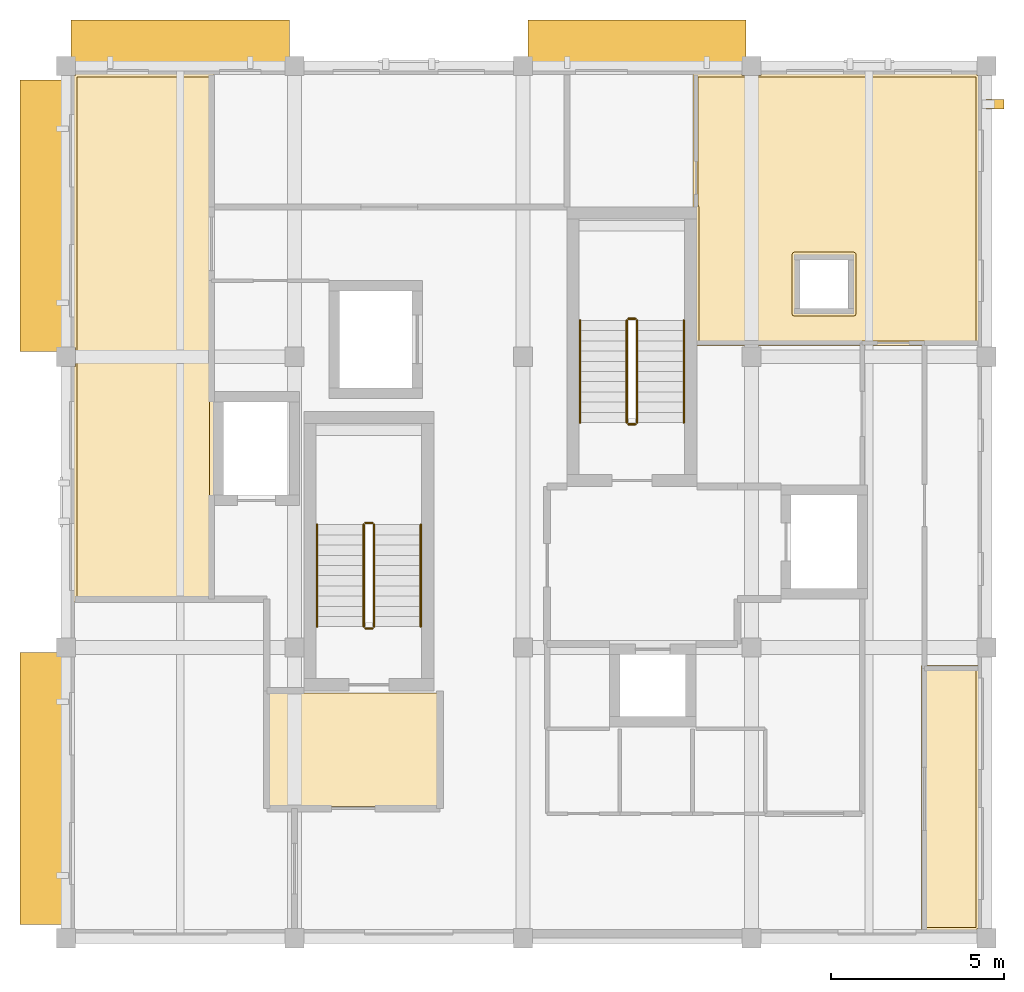
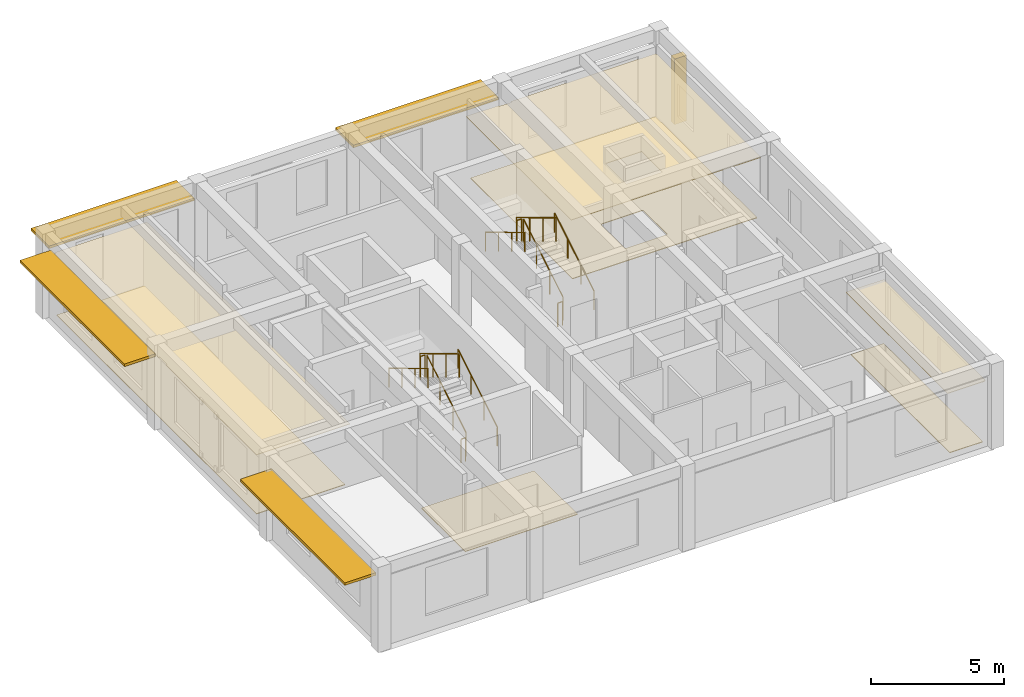
# One storey, part 6 of 6: 12 railings, 7 coverings, 5 shading devices.
"""IFC4 building model written with IfcOpenShell, lengths in metres."""

from ifc_helpers import new_model, si_unit, direction, frame, origin, origin_2d, place, context, subcontext, project, spatial, polyline, rectangle, circle, outline, extrude, material, layer, layer_set, type_object, element, save


model = new_model("IFC4")

# Units and contexts
model_context = context("Model", 3, precision=1e-05, world=origin(), true_north=direction((0.0, 1.0)))
body_context = subcontext(model_context, "Body", "Model", "MODEL_VIEW")
ifc_project = project(units=[si_unit("LENGTHUNIT", "METRE"), si_unit("AREAUNIT", "SQUARE_METRE"), si_unit("VOLUMEUNIT", "CUBIC_METRE"), si_unit("PLANEANGLEUNIT", "RADIAN"), si_unit("MASSUNIT", "GRAM", prefix="KILO")], contexts=[model_context])

# Site, building, storey
site_placement = place(None, origin())
site = spatial("IfcSite", under=ifc_project, at=site_placement, CompositionType="ELEMENT")
building_placement = place(site_placement, origin())
building = spatial("IfcBuilding", under=site, at=building_placement, Name="Kolvaren Faculty of Natural Sciences", CompositionType="ELEMENT")
storey_placement = place(building_placement, frame((0.0, 0.0, 36.60009765625)))
storey = spatial("IfcBuildingStorey", under=building, at=storey_placement, Name="L08", CompositionType="ELEMENT", Elevation=36.60009765625)

# Coverings
ifc_material_1 = material(Name="Perforated mineral-fibre acoustic suspended ceiling tile")
ifc_layer_1 = layer(ifc_material_1, 0.02490234375)
ifc_layer_set_1 = layer_set([ifc_layer_1], Name="Perforated mineral-fibre acoustic suspended ceiling tile")
covering_type_1 = type_object("IfcCoveringType", Name="AcousticSuspendedCeiling_25", PredefinedType="CEILING", material=ifc_layer_set_1)
covering_1_placement = place(storey_placement, frame((0.0, 0.0, 2.824951171875)))
element("IfcCovering", 1, at=covering_1_placement, inside=storey, type_object=covering_type_1, Name="L08 L08 Interdisciplinary Seminar Classroom acoustic ceiling", PredefinedType="CEILING", context=body_context, shape_type="SweptSolid", body=[
    extrude(outline(polyline([(145.6201171875, 68.719970703125), (145.6201171875, 75.52490234375), (145.675048828125, 75.52490234375), (145.675048828125, 76.074951171875), (145.6201171875, 76.074951171875), (145.6201171875, 83.925048828125), (145.675048828125, 83.925048828125), (145.675048828125, 83.97998046875), (149.679931640625, 83.97998046875), (149.679931640625, 68.719970703125), (145.6201171875, 68.719970703125)])), origin(), (0.0, 0.0, 1.0), 0.02490234375),
])
covering_2_placement = place(storey_placement, frame((0.0, 0.0, 2.824951171875)))
element("IfcCovering", 2, at=covering_2_placement, inside=storey, type_object=covering_type_1, Name="L08 L08 Departmental Reference Library acoustic ceiling", PredefinedType="CEILING", context=body_context, shape_type="SweptSolid", body=[
    extrude(outline(polyline([(171.780029296875, 66.8798828125), (171.780029296875, 59.27490234375), (171.72509765625, 59.27490234375), (171.72509765625, 59.219970703125), (170.1201171875, 59.219970703125), (170.1201171875, 66.8798828125), (171.780029296875, 66.8798828125)])), origin(), (0.0, 0.0, 1.0), 0.02490234375),
])
covering_3_placement = place(storey_placement, frame((0.0, 0.0, 2.824951171875)))
element("IfcCovering", 3, at=covering_3_placement, inside=storey, type_object=covering_type_1, Name="L08 L08 Senior Researcher Office acoustic ceiling", PredefinedType="CEILING", context=body_context, shape_type="SweptSolid", body=[
    extrude(outline(polyline([(163.544921875, 80.044921875), (163.52001953125, 80.044921875), (163.52001953125, 83.97998046875), (164.925048828125, 83.97998046875), (164.925048828125, 83.925048828125), (165.47509765625, 83.925048828125), (165.47509765625, 83.97998046875), (171.72509765625, 83.97998046875), (171.72509765625, 83.925048828125), (171.780029296875, 83.925048828125), (171.780029296875, 76.1201171875), (163.544921875, 76.1201171875), (163.544921875, 80.044921875)]), holes=[polyline([(168.080078125, 77.1201171875), (168.080078125, 78.679931640625), (166.52001953125, 78.679931640625), (166.52001953125, 77.1201171875), (168.080078125, 77.1201171875)])]), origin(), (0.0, 0.0, 1.0), 0.02490234375),
])

# Shading devices
ifc_material_2 = material(Name="Precast concrete C35/45", Category="concrete")
ifc_layer_2 = layer(ifc_material_2, 0.1201171875)
ifc_layer_set_2 = layer_set([ifc_layer_2], Name="Precast concrete C35/45")
shading_device_type_1 = type_object("IfcShadingDeviceType", Name="ChhajjaSolarHood_1350", PredefinedType="AWNING", material=ifc_layer_set_2)
for number, where, z_axis, x_axis, name in (
    (4, (148.699951171875, 84.85498046875, 2.94482421875), (0.0, 0.0, 1.0), (1.0, 0.0, 0.0), "L08 precast sandstone chhajja solar hood 198"),
    (5, (161.89990234375, 84.85498046875, 2.94482421875), (0.0, 0.0, 1.0), (1.0, 0.0, 0.0), "L08 precast sandstone chhajja solar hood 199"),
):
    element("IfcShadingDevice", number, at=place(storey_placement, frame(where, z_axis=z_axis, x_axis=x_axis)), inside=storey, type_object=shading_device_type_1, Name=name, PredefinedType="AWNING", context=body_context, shape_type="SweptSolid", body=[
        extrude(rectangle(XDim=6.300048828125, YDim=1.35009765625, at=origin_2d()), origin(), (0.0, 0.0, 1.0), 0.1201171875),
    ])
for number, where, z_axis, x_axis, name in (
    (6, (144.7451171875, 63.324951171875, 3.044921875), (0.0, 0.0, 1.0), (0.0, 1.0, 0.0), "L08 precast sandstone chhajja solar hood 200"),
    (7, (144.7451171875, 79.875, 3.044921875), (0.0, 0.0, 1.0), (0.0, 1.0, 0.0), "L08 precast sandstone chhajja solar hood 201"),
):
    element("IfcShadingDevice", number, at=place(storey_placement, frame(where, z_axis=z_axis, x_axis=x_axis)), inside=storey, type_object=shading_device_type_1, Name=name, PredefinedType="AWNING", context=body_context, shape_type="SweptSolid", body=[
        extrude(rectangle(XDim=7.85009765625, YDim=1.35009765625, at=origin_2d()), origin(), (0.0, 0.0, 1.0), 0.1201171875),
    ])
ifc_layer_3 = layer(ifc_material_2, 0.280029296875)
ifc_layer_set_3 = layer_set([ifc_layer_3], Name="Precast concrete C35/45")
shading_device_type_2 = type_object("IfcShadingDeviceType", Name="FacadeReliefFin_280x520", PredefinedType="USERDEFINED", material=ifc_layer_set_3)
shading_device_placement = place(storey_placement, frame((172.239990234375, 83.10009765625, 0.119873046875), z_axis=(0.0, 0.0, 1.0), x_axis=(0.0, -1.0, 0.0)))
element("IfcShadingDevice", 8, at=shading_device_placement, inside=storey, type_object=shading_device_type_2, Name="L08 projecting sandstone facade relief fin 22", ObjectType="FIN", PredefinedType="USERDEFINED", context=body_context, shape_type="SweptSolid", body=[
    extrude(rectangle(XDim=0.280029296875, YDim=0.52001953125, at=origin_2d()), origin(), (0.0, 0.0, 1.0), 3.0048828125),
])

# Railings
ifc_material_3 = material(Name="Structural steel EN 10210-1 S355J2H", Category="steel")
ifc_layer_4 = layer(ifc_material_3, 0.048095703125)
ifc_layer_set_4 = layer_set([ifc_layer_4], Name="Structural steel EN 10210-1 S355J2H")
railing_type_1 = type_object("IfcRailingType", Name="StairPitchHandrail_920", PredefinedType="HANDRAIL", material=ifc_layer_set_4)
railing_1_placement = place(storey_placement, frame((163.25, 73.89990234375, 0.17724609375)))
element("IfcRailing", 9, at=railing_1_placement, inside=storey, type_object=railing_type_1, Name="L08 ST-1 stair handrail 1", PredefinedType="HANDRAIL", context=body_context, shape_type="SweptSolid", body=[
    extrude(circle(Radius=0.02392578125, at=origin_2d()), frame((0.0, 0.0, 0.8759765625), z_axis=(0.0, 0.85716102882, 0.515048512931), x_axis=(-1.0, 0.0, 0.0)), (0.0, 0.0, 1.0), 3.44189453125),
    extrude(circle(Radius=0.02099609375, at=origin_2d()), origin(), (0.0, 0.0, 1.0), 0.851806640625),
    extrude(circle(Radius=0.02099609375, at=origin_2d()), frame((0.0, 0.9833984375, 0.5908203125)), (0.0, 0.0, 1.0), 0.851806640625),
    extrude(circle(Radius=0.02099609375, at=origin_2d()), frame((0.0, 1.966796875, 1.181884765625)), (0.0, 0.0, 1.0), 0.851806640625),
    extrude(circle(Radius=0.02099609375, at=origin_2d()), frame((0.0, 2.9501953125, 1.772705078125)), (0.0, 0.0, 1.0), 0.851806640625),
])
railing_2_placement = place(storey_placement, frame((160.25, 76.85009765625, 2.127197265625)))
element("IfcRailing", 10, at=railing_2_placement, inside=storey, type_object=railing_type_1, Name="L08 ST-1 stair handrail 2", PredefinedType="HANDRAIL", context=body_context, shape_type="SweptSolid", body=[
    extrude(circle(Radius=0.02392578125, at=origin_2d()), frame((0.0, 0.0, 0.8759765625), z_axis=(0.0, -0.85716102882, 0.515048512931), x_axis=(1.0, 0.0, 0.0)), (0.0, 0.0, 1.0), 3.44189453125),
    extrude(circle(Radius=0.02099609375, at=origin_2d()), origin(), (0.0, 0.0, 1.0), 0.851806640625),
    extrude(circle(Radius=0.02099609375, at=origin_2d()), frame((0.0, -0.9833984375, 0.5908203125)), (0.0, 0.0, 1.0), 0.851806640625),
    extrude(circle(Radius=0.02099609375, at=origin_2d()), frame((0.0, -1.966796875, 1.181884765625)), (0.0, 0.0, 1.0), 0.851806640625),
    extrude(circle(Radius=0.02099609375, at=origin_2d()), frame((0.0, -2.9501953125, 1.772705078125)), (0.0, 0.0, 1.0), 0.851806640625),
])
railing_3_placement = place(storey_placement, frame((155.64990234375, 68.0, 0.17724609375)))
element("IfcRailing", 11, at=railing_3_placement, inside=storey, type_object=railing_type_1, Name="L08 ST-2 stair handrail 1", PredefinedType="HANDRAIL", context=body_context, shape_type="SweptSolid", body=[
    extrude(circle(Radius=0.02392578125, at=origin_2d()), frame((0.0, 0.0, 0.8759765625), z_axis=(0.0, 0.857142210208, 0.515079830201), x_axis=(-1.0, 0.0, 0.0)), (0.0, 0.0, 1.0), 3.441650390625),
    extrude(circle(Radius=0.02099609375, at=origin_2d()), origin(), (0.0, 0.0, 1.0), 0.851806640625),
    extrude(circle(Radius=0.02099609375, at=origin_2d()), frame((0.0, 0.9833984375, 0.5908203125)), (0.0, 0.0, 1.0), 0.851806640625),
    extrude(circle(Radius=0.02099609375, at=origin_2d()), frame((0.0, 1.966552734375, 1.181884765625)), (0.0, 0.0, 1.0), 0.851806640625),
    extrude(circle(Radius=0.02099609375, at=origin_2d()), frame((0.0, 2.949951171875, 1.772705078125)), (0.0, 0.0, 1.0), 0.851806640625),
])
railing_4_placement = place(storey_placement, frame((152.64990234375, 70.949951171875, 2.127197265625)))
element("IfcRailing", 12, at=railing_4_placement, inside=storey, type_object=railing_type_1, Name="L08 ST-2 stair handrail 2", PredefinedType="HANDRAIL", context=body_context, shape_type="SweptSolid", body=[
    extrude(circle(Radius=0.02392578125, at=origin_2d()), frame((0.0, 0.0, 0.8759765625), z_axis=(0.0, -0.857142210208, 0.515079830201), x_axis=(1.0, 0.0, 0.0)), (0.0, 0.0, 1.0), 3.441650390625),
    extrude(circle(Radius=0.02099609375, at=origin_2d()), origin(), (0.0, 0.0, 1.0), 0.851806640625),
    extrude(circle(Radius=0.02099609375, at=origin_2d()), frame((0.0, -0.9833984375, 0.5908203125)), (0.0, 0.0, 1.0), 0.851806640625),
    extrude(circle(Radius=0.02099609375, at=origin_2d()), frame((0.0, -1.966552734375, 1.181884765625)), (0.0, 0.0, 1.0), 0.851806640625),
    extrude(circle(Radius=0.02099609375, at=origin_2d()), frame((0.0, -2.949951171875, 1.772705078125)), (0.0, 0.0, 1.0), 0.851806640625),
])
ifc_layer_5 = layer(ifc_material_3, 0.048095703125)
ifc_layer_set_5 = layer_set([ifc_layer_5], Name="Structural steel EN 10210-1 S355J2H")
railing_type_2 = type_object("IfcRailingType", Name="StairWellGuard_1100", PredefinedType="BALUSTRADE", material=ifc_layer_set_5)
railing_5_placement = place(storey_placement, frame((161.89990234375, 73.89990234375, 0.17724609375)))
element("IfcRailing", 13, at=railing_5_placement, inside=storey, type_object=railing_type_2, Name="L08 ST-1 stair guard 1", PredefinedType="BALUSTRADE", context=body_context, shape_type="SweptSolid", body=[
    extrude(circle(Radius=0.02392578125, at=origin_2d()), frame((0.0, 0.0, 1.076171875), z_axis=(0.0, 0.85716102882, 0.515048512931), x_axis=(-1.0, 0.0, 0.0)), (0.0, 0.0, 1.0), 3.44189453125),
    extrude(circle(Radius=0.02099609375, at=origin_2d()), origin(), (0.0, 0.0, 1.0), 1.052001953125),
    extrude(circle(Radius=0.02099609375, at=origin_2d()), frame((0.0, 0.9833984375, 0.5908203125)), (0.0, 0.0, 1.0), 1.052001953125),
    extrude(circle(Radius=0.02099609375, at=origin_2d()), frame((0.0, 1.966796875, 1.181884765625)), (0.0, 0.0, 1.0), 1.052001953125),
    extrude(circle(Radius=0.02099609375, at=origin_2d()), frame((0.0, 2.9501953125, 1.772705078125)), (0.0, 0.0, 1.0), 1.052001953125),
])
railing_6_placement = place(storey_placement, frame((161.85009765625, 76.89990234375, 1.949951171875)))
element("IfcRailing", 14, at=railing_6_placement, inside=storey, type_object=railing_type_2, Name="L08 ST-1 stair guard 2", PredefinedType="BALUSTRADE", context=body_context, shape_type="SweptSolid", body=[
    extrude(circle(Radius=0.02392578125, at=origin_2d()), frame((0.0, 0.0, 1.076171875), z_axis=(-1.0, 0.0, 0.0), x_axis=(0.0, -1.0, 0.0)), (0.0, 0.0, 1.0), 0.2001953125),
    extrude(circle(Radius=0.02099609375, at=origin_2d()), origin(), (0.0, 0.0, 1.0), 1.052001953125),
    extrude(circle(Radius=0.02099609375, at=origin_2d()), frame((-0.2001953125, 0.0, 0.0)), (0.0, 0.0, 1.0), 1.052001953125),
])
railing_7_placement = place(storey_placement, frame((161.60009765625, 76.85009765625, 2.127197265625)))
element("IfcRailing", 15, at=railing_7_placement, inside=storey, type_object=railing_type_2, Name="L08 ST-1 stair guard 3", PredefinedType="BALUSTRADE", context=body_context, shape_type="SweptSolid", body=[
    extrude(circle(Radius=0.02392578125, at=origin_2d()), frame((0.0, 0.0, 1.076171875), z_axis=(0.0, -0.85716102882, 0.515048512931), x_axis=(1.0, 0.0, 0.0)), (0.0, 0.0, 1.0), 3.44189453125),
    extrude(circle(Radius=0.02099609375, at=origin_2d()), origin(), (0.0, 0.0, 1.0), 1.052001953125),
    extrude(circle(Radius=0.02099609375, at=origin_2d()), frame((0.0, -0.9833984375, 0.5908203125)), (0.0, 0.0, 1.0), 1.052001953125),
    extrude(circle(Radius=0.02099609375, at=origin_2d()), frame((0.0, -1.966796875, 1.181884765625)), (0.0, 0.0, 1.0), 1.052001953125),
    extrude(circle(Radius=0.02099609375, at=origin_2d()), frame((0.0, -2.9501953125, 1.772705078125)), (0.0, 0.0, 1.0), 1.052001953125),
])
railing_8_placement = place(storey_placement, frame((161.85009765625, 73.85009765625, 0.0)))
element("IfcRailing", 16, at=railing_8_placement, inside=storey, type_object=railing_type_2, Name="L08 ST-1 stair guard 4", PredefinedType="BALUSTRADE", context=body_context, shape_type="SweptSolid", body=[
    extrude(circle(Radius=0.02392578125, at=origin_2d()), frame((0.0, 0.0, 1.076171875), z_axis=(-1.0, 0.0, 0.0), x_axis=(0.0, -1.0, 0.0)), (0.0, 0.0, 1.0), 0.2001953125),
    extrude(circle(Radius=0.02099609375, at=origin_2d()), origin(), (0.0, 0.0, 1.0), 1.052001953125),
    extrude(circle(Radius=0.02099609375, at=origin_2d()), frame((-0.2001953125, 0.0, 0.0)), (0.0, 0.0, 1.0), 1.052001953125),
])
railing_9_placement = place(storey_placement, frame((154.300048828125, 68.0, 0.17724609375)))
element("IfcRailing", 17, at=railing_9_placement, inside=storey, type_object=railing_type_2, Name="L08 ST-2 stair guard 1", PredefinedType="BALUSTRADE", context=body_context, shape_type="SweptSolid", body=[
    extrude(circle(Radius=0.02392578125, at=origin_2d()), frame((0.0, 0.0, 1.076171875), z_axis=(0.0, 0.857142210208, 0.515079830201), x_axis=(-1.0, 0.0, 0.0)), (0.0, 0.0, 1.0), 3.441650390625),
    extrude(circle(Radius=0.02099609375, at=origin_2d()), origin(), (0.0, 0.0, 1.0), 1.052001953125),
    extrude(circle(Radius=0.02099609375, at=origin_2d()), frame((0.0, 0.9833984375, 0.5908203125)), (0.0, 0.0, 1.0), 1.052001953125),
    extrude(circle(Radius=0.02099609375, at=origin_2d()), frame((0.0, 1.966552734375, 1.181884765625)), (0.0, 0.0, 1.0), 1.052001953125),
    extrude(circle(Radius=0.02099609375, at=origin_2d()), frame((0.0, 2.949951171875, 1.772705078125)), (0.0, 0.0, 1.0), 1.052001953125),
])
railing_10_placement = place(storey_placement, frame((154.25, 71.0, 1.949951171875)))
element("IfcRailing", 18, at=railing_10_placement, inside=storey, type_object=railing_type_2, Name="L08 ST-2 stair guard 2", PredefinedType="BALUSTRADE", context=body_context, shape_type="SweptSolid", body=[
    extrude(circle(Radius=0.02392578125, at=origin_2d()), frame((0.0, 0.0, 1.076171875), z_axis=(-1.0, 0.0, 0.0), x_axis=(0.0, -1.0, 0.0)), (0.0, 0.0, 1.0), 0.199951171875),
    extrude(circle(Radius=0.02099609375, at=origin_2d()), origin(), (0.0, 0.0, 1.0), 1.052001953125),
    extrude(circle(Radius=0.02099609375, at=origin_2d()), frame((-0.199951171875, 0.0, 0.0)), (0.0, 0.0, 1.0), 1.052001953125),
])
railing_11_placement = place(storey_placement, frame((154.0, 70.949951171875, 2.127197265625)))
element("IfcRailing", 19, at=railing_11_placement, inside=storey, type_object=railing_type_2, Name="L08 ST-2 stair guard 3", PredefinedType="BALUSTRADE", context=body_context, shape_type="SweptSolid", body=[
    extrude(circle(Radius=0.02392578125, at=origin_2d()), frame((0.0, 0.0, 1.076171875), z_axis=(0.0, -0.857142210208, 0.515079830201), x_axis=(1.0, 0.0, 0.0)), (0.0, 0.0, 1.0), 3.441650390625),
    extrude(circle(Radius=0.02099609375, at=origin_2d()), origin(), (0.0, 0.0, 1.0), 1.052001953125),
    extrude(circle(Radius=0.02099609375, at=origin_2d()), frame((0.0, -0.9833984375, 0.5908203125)), (0.0, 0.0, 1.0), 1.052001953125),
    extrude(circle(Radius=0.02099609375, at=origin_2d()), frame((0.0, -1.966552734375, 1.181884765625)), (0.0, 0.0, 1.0), 1.052001953125),
    extrude(circle(Radius=0.02099609375, at=origin_2d()), frame((0.0, -2.949951171875, 1.772705078125)), (0.0, 0.0, 1.0), 1.052001953125),
])
railing_12_placement = place(storey_placement, frame((154.25, 67.949951171875, 0.0)))
element("IfcRailing", 20, at=railing_12_placement, inside=storey, type_object=railing_type_2, Name="L08 ST-2 stair guard 4", PredefinedType="BALUSTRADE", context=body_context, shape_type="SweptSolid", body=[
    extrude(circle(Radius=0.02392578125, at=origin_2d()), frame((0.0, 0.0, 1.076171875), z_axis=(-1.0, 0.0, 0.0), x_axis=(0.0, -1.0, 0.0)), (0.0, 0.0, 1.0), 0.199951171875),
    extrude(circle(Radius=0.02099609375, at=origin_2d()), origin(), (0.0, 0.0, 1.0), 1.052001953125),
    extrude(circle(Radius=0.02099609375, at=origin_2d()), frame((-0.199951171875, 0.0, 0.0)), (0.0, 0.0, 1.0), 1.052001953125),
])

# Coverings
ifc_material_4 = material(Name="Polished Uruguayan grey granite terrazzo flooring", Category="masonry")
ifc_layer_6 = layer(ifc_material_4, 0.030029296875)
ifc_layer_set_6 = layer_set([ifc_layer_6], Name="Polished Uruguayan grey granite terrazzo flooring")
covering_type_2 = type_object("IfcCoveringType", Name="TerrazzoFloorFinish_30", PredefinedType="FLOORING", material=ifc_layer_set_6)
covering_4_placement = place(storey_placement, origin())
element("IfcCovering", 21, at=covering_4_placement, inside=storey, type_object=covering_type_2, Name="L08 L08 Firefighting Rescue Lobby CORE-C2 floor finish", PredefinedType="FLOORING", context=body_context, shape_type="SweptSolid", body=[
    extrude(outline(polyline([(156.139892578125, 66.090087890625), (156.139892578125, 62.81005859375), (151.260009765625, 62.81005859375), (151.260009765625, 66.090087890625), (156.139892578125, 66.090087890625)])), origin(), (0.0, 0.0, 1.0), 0.02978515625),
])
covering_5_placement = place(storey_placement, origin())
element("IfcCovering", 22, at=covering_5_placement, inside=storey, type_object=covering_type_2, Name="L08 L08 Interdisciplinary Seminar Classroom floor finish", PredefinedType="FLOORING", context=body_context, shape_type="SweptSolid", body=[
    extrude(outline(polyline([(145.7099609375, 83.889892578125), (149.5400390625, 83.889892578125), (149.5400390625, 68.860107421875), (145.7099609375, 68.860107421875), (145.7099609375, 83.889892578125)])), origin(), (0.0, 0.0, 1.0), 0.02978515625),
])
covering_6_placement = place(storey_placement, origin())
element("IfcCovering", 23, at=covering_6_placement, inside=storey, type_object=covering_type_2, Name="L08 L08 Departmental Reference Library floor finish", PredefinedType="FLOORING", context=body_context, shape_type="SweptSolid", body=[
    extrude(outline(polyline([(171.68994140625, 59.31005859375), (170.260009765625, 59.31005859375), (170.260009765625, 66.739990234375), (171.68994140625, 66.739990234375), (171.68994140625, 59.31005859375)])), origin(), (0.0, 0.0, 1.0), 0.02978515625),
])
covering_7_placement = place(storey_placement, origin())
element("IfcCovering", 24, at=covering_7_placement, inside=storey, type_object=covering_type_2, Name="L08 L08 Senior Researcher Office floor finish", PredefinedType="FLOORING", context=body_context, shape_type="SweptSolid", body=[
    extrude(outline(polyline([(163.659912109375, 83.889892578125), (171.68994140625, 83.889892578125), (171.68994140625, 76.260009765625), (163.68505859375, 76.260009765625), (163.68505859375, 80.125), (163.684814453125, 80.130859375), (163.683837890625, 80.13671875), (163.682373046875, 80.142333984375), (163.680419921875, 80.14794921875), (163.677978515625, 80.1533203125), (163.6748046875, 80.158203125), (163.67138671875, 80.1630859375), (163.66748046875, 80.16748046875), (163.6630859375, 80.17138671875), (163.659912109375, 80.173583984375), (163.659912109375, 83.889892578125)]), holes=[polyline([(166.43408203125, 78.819580078125), (166.42822265625, 78.81884765625), (166.422607421875, 78.8173828125), (166.4169921875, 78.8154296875), (166.41162109375, 78.81298828125), (166.40673828125, 78.809814453125), (166.40185546875, 78.806396484375), (166.397705078125, 78.802490234375), (166.3935546875, 78.798095703125), (166.39013671875, 78.793212890625), (166.38720703125, 78.788330078125), (166.384521484375, 78.782958984375), (166.382568359375, 78.77734375), (166.381103515625, 78.771728515625), (166.38037109375, 78.765869140625), (166.3798828125, 78.760009765625), (166.3798828125, 77.0400390625), (166.38037109375, 77.0341796875), (166.381103515625, 77.0283203125), (166.382568359375, 77.022705078125), (166.384521484375, 77.01708984375), (166.38720703125, 77.01171875), (166.39013671875, 77.006591796875), (166.3935546875, 77.001953125), (166.397705078125, 76.99755859375), (166.40185546875, 76.99365234375), (166.40673828125, 76.989990234375), (166.41162109375, 76.987060546875), (166.4169921875, 76.984619140625), (166.422607421875, 76.982666015625), (166.42822265625, 76.981201171875), (166.43408203125, 76.980224609375), (166.43994140625, 76.97998046875), (168.159912109375, 76.97998046875), (168.166015625, 76.980224609375), (168.171630859375, 76.981201171875), (168.177490234375, 76.982666015625), (168.18310546875, 76.984619140625), (168.188232421875, 76.987060546875), (168.193359375, 76.989990234375), (168.197998046875, 76.99365234375), (168.202392578125, 76.99755859375), (168.206298828125, 77.001953125), (168.2099609375, 77.006591796875), (168.212890625, 77.01171875), (168.21533203125, 77.01708984375), (168.21728515625, 77.022705078125), (168.21875, 77.0283203125), (168.2197265625, 77.0341796875), (168.219970703125, 77.0400390625), (168.219970703125, 78.760009765625), (168.2197265625, 78.765869140625), (168.21875, 78.771728515625), (168.21728515625, 78.77734375), (168.21533203125, 78.782958984375), (168.212890625, 78.788330078125), (168.2099609375, 78.793212890625), (168.206298828125, 78.798095703125), (168.202392578125, 78.802490234375), (168.197998046875, 78.806396484375), (168.193359375, 78.809814453125), (168.188232421875, 78.81298828125), (168.18310546875, 78.8154296875), (168.177490234375, 78.8173828125), (168.171630859375, 78.81884765625), (168.166015625, 78.819580078125), (168.159912109375, 78.820068359375), (166.43994140625, 78.820068359375), (166.43408203125, 78.819580078125)])]), origin(), (0.0, 0.0, 1.0), 0.02978515625),
])

save(model, "model.ifc")
